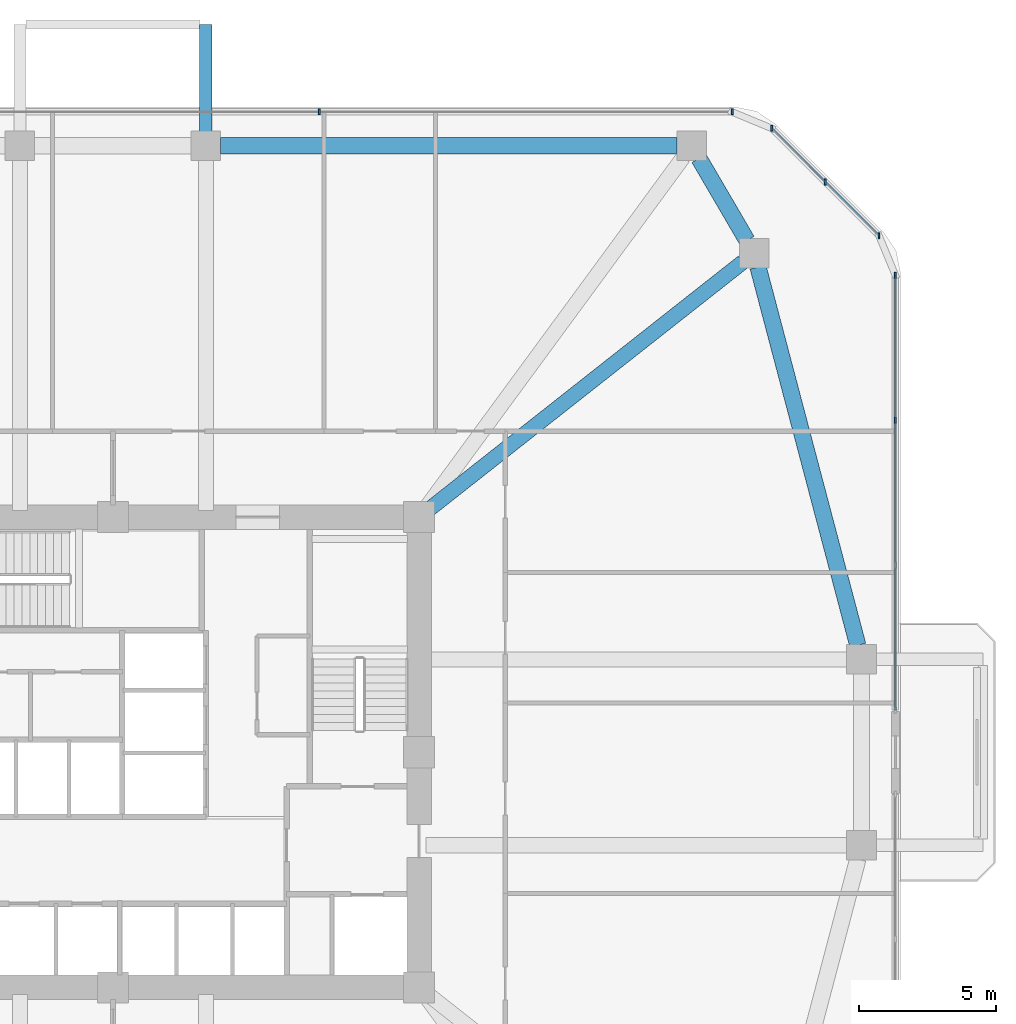
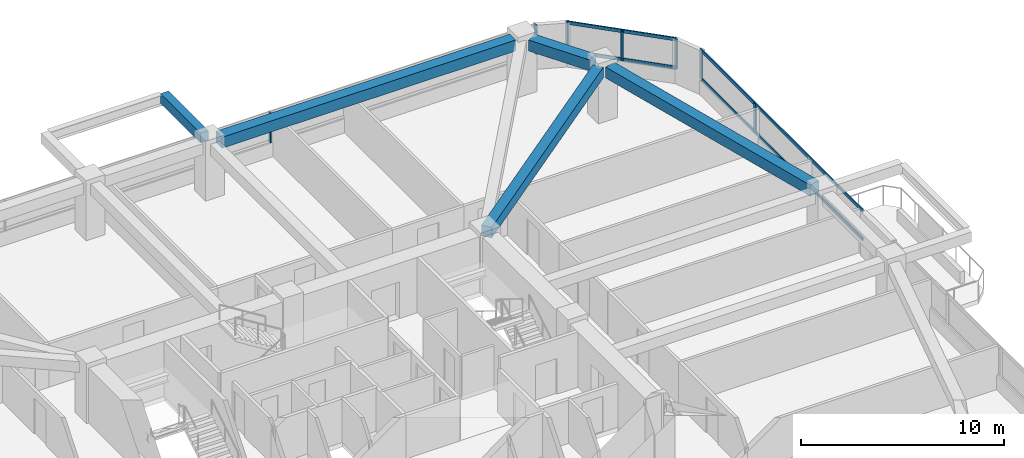
# One storey, part 8 of 15: 11 members, 5 beams, 3 elements without a shape of their own.
"""IFC4 building model written with IfcOpenShell, lengths in metres."""

import ifcopenshell
import ifcopenshell.guid

model = None  # the IFC model being written
_history = None  # IfcOwnerHistory: only IFC2X3 demands one
_inside = {}  # id of a spatial element -> (the spatial element, [elements in it])
_under = {}  # id of a project, library or spatial element -> (it, [spatial elements below it])
_declared = {}  # id of a project -> (the project, [libraries it declares])
_typed = {}  # id of a type object -> (the type object, [elements of that type])
_made_of = {}  # id of a material, layer set ... -> (it, [elements and type objects made of it])


def new_model(schema):
    """Start an empty IFC model of exactly this schema.

    Asked for "IFC4X3", IfcOpenShell would pick the latest addendum, in which some entities
    have other attributes; the version numbers below select the first issue.
    IFC2X3 requires an IfcOwnerHistory on every rooted entity: one is made here for all.
    """
    global model, _history
    if schema == "IFC4X3":
        model = ifcopenshell.file(schema_version=(4, 3, 0, 0))
    else:
        model = ifcopenshell.file(schema=schema)
    _inside.clear()
    _under.clear()
    _declared.clear()
    _typed.clear()
    _made_of.clear()
    _history = None
    if model.schema == "IFC2X3":
        org = make("IfcOrganization", Name="unknown")
        user = make(
            "IfcPersonAndOrganization",
            ThePerson=make("IfcPerson", FamilyName="unknown"),
            TheOrganization=org,
        )
        app = make(
            "IfcApplication",
            ApplicationDeveloper=org,
            Version="unknown",
            ApplicationFullName="unknown",
            ApplicationIdentifier="unknown",
        )
        _history = make(
            "IfcOwnerHistory",
            OwningUser=user,
            OwningApplication=app,
            ChangeAction="ADDED",
            CreationDate=0,
        )
    return model


def make(cls, **values):
    """One entity of the class cls with the attributes given. An attribute that is None is left unset."""
    return model.create_entity(
        cls, **{name: value for name, value in values.items() if value is not None}
    )


def rooted(cls, **values):
    """An entity with a GlobalId (a new one), such as an element, a storey or a relation."""
    return make(cls, GlobalId=ifcopenshell.guid.new(), OwnerHistory=_history, **values)


def si_unit(unit_type, name, prefix=None):
    """IfcSIUnit, for example si_unit("LENGTHUNIT", "METRE", prefix="MILLI")."""
    return make("IfcSIUnit", UnitType=unit_type, Prefix=prefix, Name=name)


def derived_unit(unit_type, elements):
    """IfcDerivedUnit: a product of units, each with its exponent."""
    return make(
        "IfcDerivedUnit",
        Elements=[
            make("IfcDerivedUnitElement", Unit=unit, Exponent=power)
            for unit, power in elements
        ],
        UnitType=unit_type,
    )


def assignment(units):
    """IfcUnitAssignment: the units of a project."""
    return None if units is None else make("IfcUnitAssignment", Units=units)


def point(xyz):
    """IfcCartesianPoint."""
    return None if xyz is None else make("IfcCartesianPoint", Coordinates=xyz)


def direction(xyz):
    """IfcDirection."""
    return None if xyz is None else make("IfcDirection", DirectionRatios=xyz)


def frame(location, z_axis=None, x_axis=None):
    """IfcAxis2Placement3D, a coordinate frame: its origin and axes. An axis left out is left unset."""
    return make(
        "IfcAxis2Placement3D",
        Location=point(location),
        Axis=direction(z_axis),
        RefDirection=direction(x_axis),
    )


def frame_2d(location, x_axis=None):
    """IfcAxis2Placement2D, a coordinate frame in the plane: its origin and x axis."""
    return make(
        "IfcAxis2Placement2D", Location=point(location), RefDirection=direction(x_axis)
    )


def origin():
    """The frame at (0, 0, 0) with its axes left unset."""
    return frame((0.0, 0.0, 0.0))


def origin_2d():
    """The frame at (0, 0) in the plane with its x axis left unset."""
    return frame_2d((0.0, 0.0))


def place(relative_to, where):
    """IfcLocalPlacement: puts the frame where relative to a parent placement (None: the world)."""
    return make(
        "IfcLocalPlacement", PlacementRelTo=relative_to, RelativePlacement=where
    )


def context(
    kind, dimensions, precision=None, world=None, true_north=None, identifier=None
):
    """IfcGeometricRepresentationContext, for example the 3D "Model" context."""
    return make(
        "IfcGeometricRepresentationContext",
        ContextIdentifier=identifier,
        ContextType=kind,
        CoordinateSpaceDimension=dimensions,
        Precision=precision,
        WorldCoordinateSystem=world,
        TrueNorth=true_north,
    )


def subcontext(parent, identifier, kind, view, scale=None):
    """IfcGeometricRepresentationSubContext, for example "Body" below "Model"."""
    return make(
        "IfcGeometricRepresentationSubContext",
        ContextIdentifier=identifier,
        ContextType=kind,
        ParentContext=parent,
        TargetScale=scale,
        TargetView=view,
    )


def project(units=None, contexts=None):
    """IfcProject with its units and contexts."""
    return rooted(
        "IfcProject",
        Name="project",
        RepresentationContexts=contexts,
        UnitsInContext=assignment(units),
    )


def spatial(cls, under=None, at=None, **own):
    """A site, building, storey or space (cls), placed at a placement, below another one or the project."""
    s = rooted(cls, ObjectPlacement=at, **own)
    if under is not None:
        _under.setdefault(under.id(), (under, []))[1].append(s)
    return s


def profile(cls, at=None, kind="AREA", **sizes):
    """A parametric profile (cls). Its sizes go by their IFC names, for example OverallWidth=200.0."""
    return make(cls, ProfileType=kind, Position=at, **sizes)


def rectangle(**sizes):
    """IfcRectangleProfileDef."""
    return profile("IfcRectangleProfileDef", **sizes)


def extrude(swept, where, along, depth):
    """IfcExtrudedAreaSolid: the profile swept, set in the frame where, extruded along a direction by depth."""
    return make(
        "IfcExtrudedAreaSolid",
        SweptArea=swept,
        Position=where,
        ExtrudedDirection=direction(along),
        Depth=depth,
    )


def shape(context_of_items, identifier, shape_type, items):
    """IfcShapeRepresentation: the items that make up one representation, for example the "Body"."""
    return make(
        "IfcShapeRepresentation",
        ContextOfItems=context_of_items,
        RepresentationIdentifier=identifier,
        RepresentationType=shape_type,
        Items=items,
    )


def material(Name=None, Category=None):
    """IfcMaterial."""
    return make("IfcMaterial", Name=Name, Category=Category)


def material_profile(
    of_material, cross_section, Name=None, Category=None, Priority=None
):
    """IfcMaterialProfile: a cross section and its material."""
    return make(
        "IfcMaterialProfile",
        Name=Name,
        Material=of_material,
        Profile=cross_section,
        Priority=Priority,
        Category=Category,
    )


def profile_set(profiles, Name=None, composite=None):
    """IfcMaterialProfileSet."""
    return make(
        "IfcMaterialProfileSet",
        Name=Name,
        MaterialProfiles=profiles,
        CompositeProfile=composite,
    )


def made_of(thing, what):
    """Note that an element or type object is made of a material, layer set ...; save() writes the relation."""
    if what is not None:
        _made_of.setdefault(what.id(), (what, []))[1].append(thing)
    return thing


def type_object(cls, material=None, **own):
    """A type object (cls), such as IfcWallType, which elements share."""
    return made_of(rooted(cls, **own), material)


def element(
    cls,
    number,
    at=None,
    inside=None,
    cuts=None,
    type_object=None,
    material=None,
    context=None,
    identifier="Body",
    shape_type=None,
    held_by="IfcProductDefinitionShape",
    body=None,
    shapes=None,
    **own,
):
    """One element of the class cls, such as IfcWall. Its Tag is "e" and its number.

    at: its placement. inside: the storey or other place that contains it. cuts: it is an
    opening in that element (IfcRelVoidsElement). A single representation is given by context,
    identifier, shape_type and body (its items); several are given by shapes. held_by: the class
    of the entity that holds the representations. save() writes the other relations.
    """
    e = rooted(cls, Tag="e%d" % number, ObjectPlacement=at, **own)
    if body is not None:
        shapes = [shape(context, identifier, shape_type, body)]
    if shapes is not None:
        e.Representation = make(held_by, Representations=shapes)
    if inside is not None:
        _inside.setdefault(inside.id(), (inside, []))[1].append(e)
    if cuts is not None:
        rooted(
            "IfcRelVoidsElement", RelatingBuildingElement=cuts, RelatedOpeningElement=e
        )
    if type_object is not None:
        _typed.setdefault(type_object.id(), (type_object, []))[1].append(e)
    return made_of(e, material)


def aggregate(whole, parts):
    """IfcRelAggregates: a whole, such as a stair, and the parts it consists of."""
    return rooted("IfcRelAggregates", RelatingObject=whole, RelatedObjects=parts)


def save(model, path):
    """Write the relations noted so far, then the file.

    IfcRelAggregates (storeys below a building ...), IfcRelContainedInSpatialStructure (elements
    in a storey), IfcRelDefinesByType, IfcRelAssociatesMaterial and IfcRelDeclares: one each for
    every whole, place, type object, material and project.
    """
    for whole, parts in _under.values():
        aggregate(whole, parts)
    for where, things in _inside.values():
        rooted(
            "IfcRelContainedInSpatialStructure",
            RelatedElements=things,
            RelatingStructure=where,
        )
    for kind, things in _typed.values():
        rooted("IfcRelDefinesByType", RelatedObjects=things, RelatingType=kind)
    for what, things in _made_of.values():
        rooted("IfcRelAssociatesMaterial", RelatedObjects=things, RelatingMaterial=what)
    for by, libraries in _declared.values():
        rooted("IfcRelDeclares", RelatingContext=by, RelatedDefinitions=libraries)
    model.write(path)


model = new_model("IFC4")

# Units and contexts
model_context = context("Model", 3, precision=1e-05, world=origin(), true_north=direction((0.0, 1.0)))
body_context = subcontext(model_context, "Body", "Model", "MODEL_VIEW")
ifc_project = project(units=[si_unit("LENGTHUNIT", "METRE"), si_unit("AREAUNIT", "SQUARE_METRE"), si_unit("VOLUMEUNIT", "CUBIC_METRE"), si_unit("PLANEANGLEUNIT", "RADIAN"), si_unit("MASSUNIT", "GRAM", prefix="KILO"), derived_unit("THERMALTRANSMITTANCEUNIT", [(si_unit("POWERUNIT", "WATT"), 1), (si_unit("LENGTHUNIT", "METRE"), -2), (si_unit("THERMODYNAMICTEMPERATUREUNIT", "KELVIN"), -1)])], contexts=[model_context])

# Site, building, storey
site_placement = place(None, origin())
site = spatial("IfcSite", under=ifc_project, at=site_placement, CompositionType="ELEMENT")
building_placement = place(site_placement, origin())
building = spatial("IfcBuilding", under=site, at=building_placement, Name="Koralith Skygarden Medical Center", CompositionType="ELEMENT")
storey_placement = place(building_placement, frame((0.0, 0.0, 27.5400390625)))
storey = spatial("IfcBuildingStorey", under=building, at=storey_placement, Name="L06", CompositionType="ELEMENT", Elevation=27.5400390625)

# Curtain wall, members
ifc_material_1 = material(Name="Clear Laminated Glass", Category="glass")
curtain_wall_type = type_object("IfcCurtainWallType", Name="CW-2 Zone 1 Hurricane Unitised Curtain Wall", PredefinedType="NOTDEFINED", material=ifc_material_1)
curtain_wall_1_placement = place(storey_placement, origin())
curtain_wall_1 = element("IfcCurtainWall", 1, at=curtain_wall_1_placement, inside=storey, type_object=curtain_wall_type, Name="Curtain Wall CW-L06-E-R", PredefinedType="NOTDEFINED")
ifc_material_2 = material(Name="Aluminium 6063-T6", Category="aluminium")
ifc_material_profile_1 = material_profile(ifc_material_2, rectangle(XDim=0.071044921875, YDim=0.219970703125, at=origin_2d()), Name="MUL71X220")
ifc_profile_set_1 = profile_set([ifc_material_profile_1], Name="Aluminium 6063-T6")
member_type_1 = type_object("IfcMemberType", Name="CW-2 Extruded Mullion 71x220", PredefinedType="MULLION", material=ifc_profile_set_1)
member_1_placement = place(storey_placement, frame((65.6201171875, 38.04296875, 0.849853515625), z_axis=(0.0, 0.0, 1.0), x_axis=(1.0, 0.0, 0.0)))
member_1 = element("IfcMember", 2, at=member_1_placement, type_object=member_type_1, Name="CW-L06-E-R Mullion 3", PredefinedType="MULLION", context=body_context, shape_type="SweptSolid", body=[
    extrude(rectangle(XDim=0.071044921875, YDim=0.219970703125, at=origin_2d()), origin(), (0.0, 0.0, 1.0), 1.800048828125),
])
member_2_placement = place(storey_placement, frame((65.6201171875, 43.344970703125, 0.849853515625), z_axis=(0.0, 0.0, 1.0), x_axis=(1.0, 0.0, 0.0)))
member_2 = element("IfcMember", 3, at=member_2_placement, type_object=member_type_1, Name="CW-L06-E-R Mullion 4", PredefinedType="MULLION", context=body_context, shape_type="SweptSolid", body=[
    extrude(rectangle(XDim=0.071044921875, YDim=0.219970703125, at=origin_2d()), origin(), (0.0, 0.0, 1.0), 1.800048828125),
])

curtain_wall_2_placement = place(storey_placement, origin())
curtain_wall_2 = element("IfcCurtainWall", 4, at=curtain_wall_2_placement, inside=storey, type_object=curtain_wall_type, Name="Curtain Wall CW-L06-NE", PredefinedType="NOTDEFINED")
member_3_placement = place(storey_placement, frame((65.01904296875, 44.7958984375, 0.849853515625), z_axis=(0.0, 0.0, 1.0), x_axis=(1.0, 0.0, 0.0)))
member_3 = element("IfcMember", 5, at=member_3_placement, type_object=member_type_1, Name="CW-L06-NE Mullion 1", PredefinedType="MULLION", context=body_context, shape_type="SweptSolid", body=[
    extrude(rectangle(XDim=0.071044921875, YDim=0.219970703125, at=origin_2d()), origin(), (0.0, 0.0, 1.0), 1.800048828125),
])
member_4_placement = place(storey_placement, frame((63.05810546875, 46.758056640625, 0.849853515625), z_axis=(0.0, 0.0, 1.0), x_axis=(1.0, 0.0, 0.0)))
member_4 = element("IfcMember", 6, at=member_4_placement, type_object=member_type_1, Name="CW-L06-NE Mullion 2", PredefinedType="MULLION", context=body_context, shape_type="SweptSolid", body=[
    extrude(rectangle(XDim=0.071044921875, YDim=0.219970703125, at=origin_2d()), origin(), (0.0, 0.0, 1.0), 1.800048828125),
])
member_5_placement = place(storey_placement, frame((61.095947265625, 48.718994140625, 0.849853515625), z_axis=(0.0, 0.0, 1.0), x_axis=(1.0, 0.0, 0.0)))
member_5 = element("IfcMember", 7, at=member_5_placement, type_object=member_type_1, Name="CW-L06-NE Mullion 3", PredefinedType="MULLION", context=body_context, shape_type="SweptSolid", body=[
    extrude(rectangle(XDim=0.071044921875, YDim=0.219970703125, at=origin_2d()), origin(), (0.0, 0.0, 1.0), 1.800048828125),
])

curtain_wall_3_placement = place(storey_placement, origin())
curtain_wall_3 = element("IfcCurtainWall", 8, at=curtain_wall_3_placement, inside=storey, type_object=curtain_wall_type, Name="Curtain Wall CW-L06-N", PredefinedType="NOTDEFINED")
member_6_placement = place(storey_placement, frame((59.64501953125, 49.320068359375, 0.849853515625), z_axis=(0.0, 0.0, 1.0), x_axis=(1.0, 0.0, 0.0)))
member_6 = element("IfcMember", 9, at=member_6_placement, type_object=member_type_1, Name="CW-L06-N Mullion 1", PredefinedType="MULLION", context=body_context, shape_type="SweptSolid", body=[
    extrude(rectangle(XDim=0.071044921875, YDim=0.219970703125, at=origin_2d()), origin(), (0.0, 0.0, 1.0), 1.800048828125),
])
member_7_placement = place(storey_placement, frame((44.548095703125, 49.320068359375, 0.849853515625), z_axis=(0.0, 0.0, 1.0), x_axis=(1.0, 0.0, 0.0)))
member_7 = element("IfcMember", 10, at=member_7_placement, type_object=member_type_1, Name="CW-L06-N Mullion 2", PredefinedType="MULLION", context=body_context, shape_type="SweptSolid", body=[
    extrude(rectangle(XDim=0.071044921875, YDim=0.219970703125, at=origin_2d()), origin(), (0.0, 0.0, 1.0), 1.800048828125),
])
aggregate(curtain_wall_3, [member_6, member_7])

# Member
ifc_material_profile_2 = material_profile(ifc_material_2, rectangle(XDim=0.06591796875, YDim=0.197998046875, at=origin_2d()), Name="TRN66X198")
ifc_profile_set_2 = profile_set([ifc_material_profile_2], Name="Aluminium 6063-T6")
member_type_2 = type_object("IfcMemberType", Name="CW-2 Thermal Transom 66x198", PredefinedType="USERDEFINED", material=ifc_profile_set_2)
member_8_placement = place(storey_placement, frame((65.6201171875, 27.43994140625, 0.89990234375), z_axis=(0.0, 1.0, 0.0), x_axis=(-1.0, 0.0, 0.0)))
member_8 = element("IfcMember", 11, at=member_8_placement, type_object=member_type_2, Name="CW-L06-E-R Transom 1", ObjectType="TRANSOM", PredefinedType="USERDEFINED", context=body_context, shape_type="SweptSolid", body=[
    extrude(rectangle(XDim=0.06591796875, YDim=0.197998046875, at=origin_2d()), origin(), (0.0, 0.0, 1.0), 15.905029296875),
])

member_9_placement = place(storey_placement, frame((65.6201171875, 27.43994140625, 2.599853515625), z_axis=(0.0, 1.0, 0.0), x_axis=(-1.0, 0.0, 0.0)))
member_9 = element("IfcMember", 12, at=member_9_placement, type_object=member_type_2, Name="CW-L06-E-R Transom 2", ObjectType="TRANSOM", PredefinedType="USERDEFINED", context=body_context, shape_type="SweptSolid", body=[
    extrude(rectangle(XDim=0.06591796875, YDim=0.197998046875, at=origin_2d()), origin(), (0.0, 0.0, 1.0), 15.905029296875),
])

aggregate(curtain_wall_1, [member_1, member_2, member_8, member_9])

member_10_placement = place(storey_placement, frame((65.01904296875, 44.7958984375, 0.89990234375), z_axis=(-0.707106781187, 0.707106781187, 0.0), x_axis=(-0.707106781187, -0.707106781187, 0.0)))
member_10 = element("IfcMember", 13, at=member_10_placement, type_object=member_type_2, Name="CW-L06-NE Transom 1", ObjectType="TRANSOM", PredefinedType="USERDEFINED", context=body_context, shape_type="SweptSolid", body=[
    extrude(rectangle(XDim=0.06591796875, YDim=0.197998046875, at=origin_2d()), origin(), (0.0, 0.0, 1.0), 5.548095703125),
])

member_11_placement = place(storey_placement, frame((65.01904296875, 44.7958984375, 2.599853515625), z_axis=(-0.707106781187, 0.707106781187, 0.0), x_axis=(-0.707106781187, -0.707106781187, 0.0)))
member_11 = element("IfcMember", 14, at=member_11_placement, type_object=member_type_2, Name="CW-L06-NE Transom 2", ObjectType="TRANSOM", PredefinedType="USERDEFINED", context=body_context, shape_type="SweptSolid", body=[
    extrude(rectangle(XDim=0.06591796875, YDim=0.197998046875, at=origin_2d()), origin(), (0.0, 0.0, 1.0), 5.548095703125),
])

aggregate(curtain_wall_2, [member_3, member_4, member_5, member_10, member_11])

# Beams
ifc_material_3 = material(Name="Concrete C45/55", Category="concrete")
ifc_material_profile_3 = material_profile(ifc_material_3, rectangle(XDim=0.449951171875, YDim=0.60009765625, at=origin_2d()), Name="RCB450X600")
ifc_profile_set_3 = profile_set([ifc_material_profile_3], Name="Concrete C45/55")
beam_type_1 = type_object("IfcBeamType", Name="Planted Balcony Cantilever Beam RCB450X600", PredefinedType="BEAM", material=ifc_profile_set_3)
beam_1_placement = place(storey_placement, frame((40.39990234375, 48.60009765625, 3.0400390625), z_axis=(0.0, 1.0, 0.0), x_axis=(-1.0, 0.0, 0.0)))
element("IfcBeam", 15, at=beam_1_placement, inside=storey, type_object=beam_type_1, Name="L07 N Balcony Cantilever Beam B", PredefinedType="BEAM", context=body_context, shape_type="SweptSolid", body=[
    extrude(rectangle(XDim=0.449951171875, YDim=0.60009765625, at=origin_2d()), origin(), (0.0, 0.0, 1.0), 3.919921875),
])
ifc_material_profile_4 = material_profile(ifc_material_3, rectangle(XDim=0.550048828125, YDim=0.639892578125, at=origin_2d()), Name="RCB550X640")
ifc_profile_set_4 = profile_set([ifc_material_profile_4], Name="Concrete C45/55")
beam_type_2 = type_object("IfcBeamType", Name="Radial Collector Beam RCB550X640", PredefinedType="BEAM", material=ifc_profile_set_4)
beam_2_placement = place(storey_placement, frame((48.39599609375, 34.655029296875, 3.0), z_axis=(0.785497250365, 0.618865146594, 0.0), x_axis=(-0.618865146594, 0.785497250365, 0.0)))
element("IfcBeam", 16, at=beam_2_placement, inside=storey, type_object=beam_type_2, Name="L06 Radial Collector Beam RB-10", PredefinedType="BEAM", context=body_context, shape_type="SweptSolid", body=[
    extrude(rectangle(XDim=0.550048828125, YDim=0.639892578125, at=origin_2d()), origin(), (0.0, 0.0, 1.0), 14.828857421875),
])
ifc_material_profile_5 = material_profile(ifc_material_3, rectangle(XDim=0.60009765625, YDim=0.659912109375, at=origin_2d()), Name="RCB600X660")
ifc_profile_set_5 = profile_set([ifc_material_profile_5], Name="Concrete C45/55")
beam_type_3 = type_object("IfcBeamType", Name="Zone 1 Spandrel Beam RCB600X660", PredefinedType="SPANDREL", material=ifc_profile_set_5)
beam_3_placement = place(storey_placement, frame((64.2451171875, 29.81201171875, 2.989990234375), z_axis=(-0.255088684842, 0.966917660851, 0.0), x_axis=(-0.966917660851, -0.255088684842, 0.0)))
element("IfcBeam", 17, at=beam_3_placement, inside=storey, type_object=beam_type_3, Name="L06 Perimeter Spandrel Beam SP-09", PredefinedType="SPANDREL", context=body_context, shape_type="SweptSolid", body=[
    extrude(rectangle(XDim=0.60009765625, YDim=0.659912109375, at=origin_2d()), origin(), (0.0, 0.0, 1.0), 14.309326171875),
])
beam_4_placement = place(storey_placement, frame((60.19189453125, 44.617919921875, 2.989990234375), z_axis=(-0.504608092658, 0.863348523381, 0.0), x_axis=(-0.863348523381, -0.504608092658, 0.0)))
element("IfcBeam", 18, at=beam_4_placement, inside=storey, type_object=beam_type_3, Name="L06 Perimeter Spandrel Beam SP-10", PredefinedType="SPANDREL", context=body_context, shape_type="SweptSolid", body=[
    extrude(rectangle(XDim=0.60009765625, YDim=0.659912109375, at=origin_2d()), origin(), (0.0, 0.0, 1.0), 3.479736328125),
])
beam_5_placement = place(storey_placement, frame((57.637939453125, 48.080078125, 2.989990234375), z_axis=(-1.0, 0.0, 0.0), x_axis=(0.0, -1.0, 0.0)))
element("IfcBeam", 19, at=beam_5_placement, inside=storey, type_object=beam_type_3, Name="L06 Perimeter Spandrel Beam SP-11", PredefinedType="SPANDREL", context=body_context, shape_type="SweptSolid", body=[
    extrude(rectangle(XDim=0.60009765625, YDim=0.659912109375, at=origin_2d()), origin(), (0.0, 0.0, 1.0), 16.7080078125),
])

save(model, "model.ifc")
